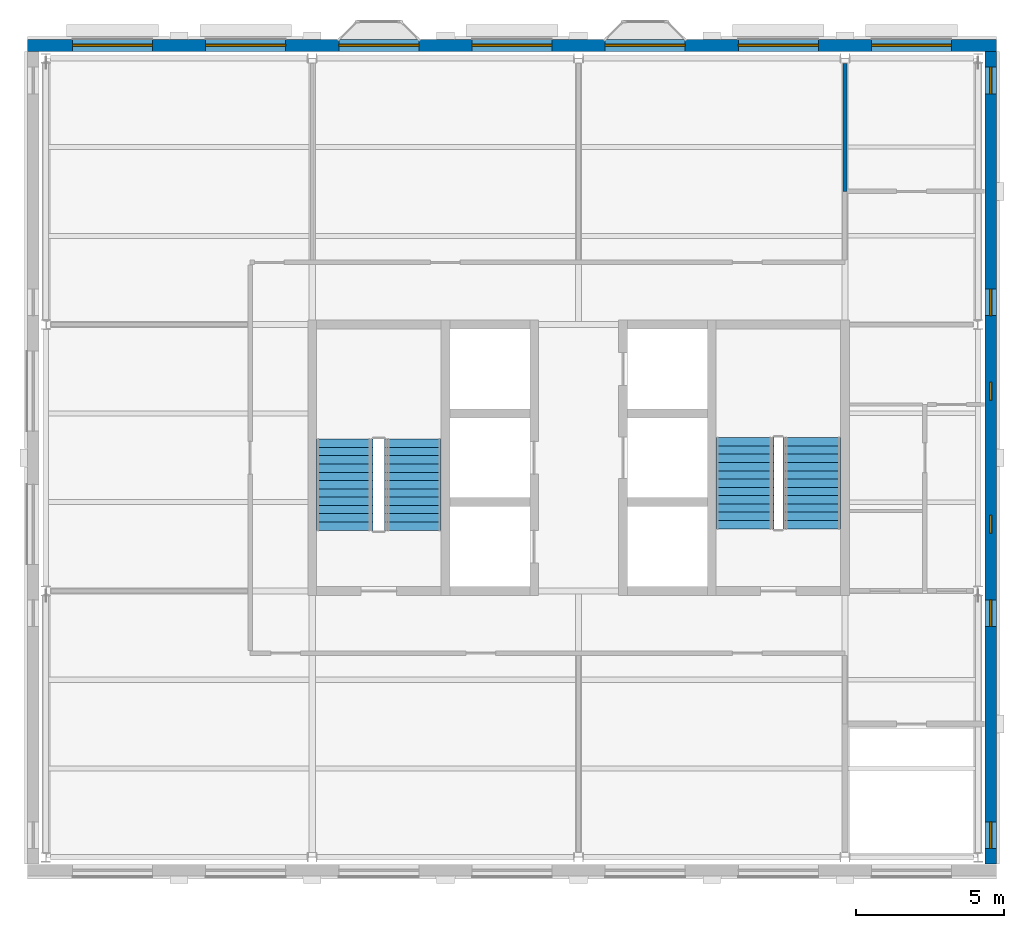
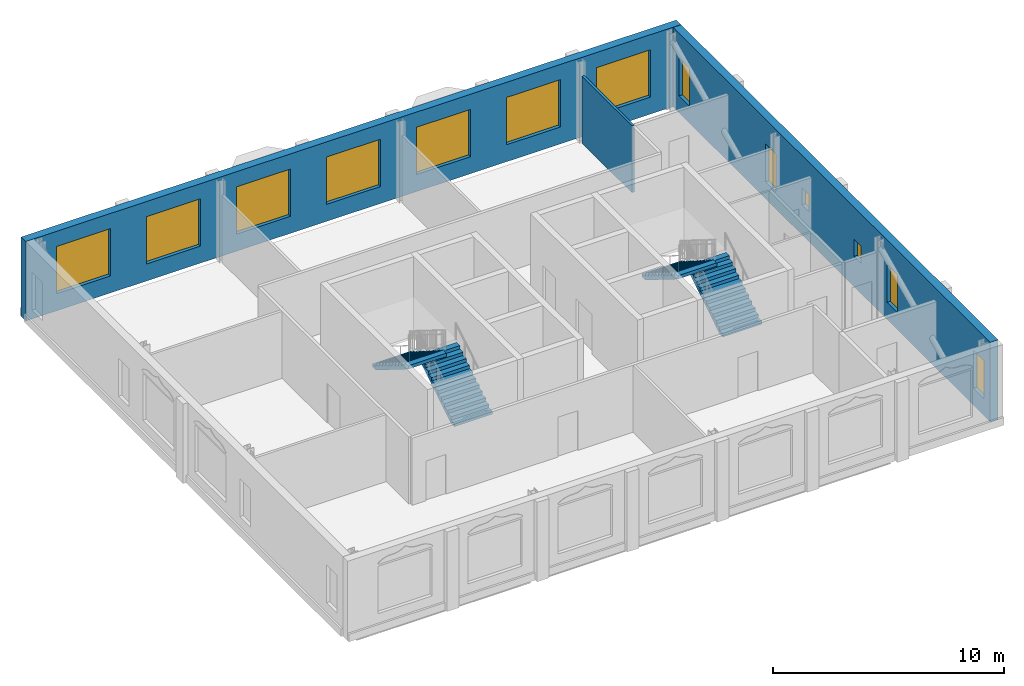
# One storey, part 5 of 9: 13 windows, 4 stair flights, 3 walls, 13 openings, 2 elements without a shape of their own.
"""IFC4 building model written with IfcOpenShell, lengths in metres."""

from ifc_helpers import new_model, si_unit, direction, frame, frame_2d, origin, place, context, subcontext, project, spatial, polyline, rectangle, outline, extrude, material, layer, layer_set, type_object, element, fill, aggregate, save


model = new_model("IFC4")

# Units and contexts
model_context = context("Model", 3, precision=1e-05, world=origin(), true_north=direction((0.0, 1.0)))
body_context = subcontext(model_context, "Body", "Model", "MODEL_VIEW")
ifc_project = project(units=[si_unit("LENGTHUNIT", "METRE"), si_unit("AREAUNIT", "SQUARE_METRE"), si_unit("VOLUMEUNIT", "CUBIC_METRE"), si_unit("PLANEANGLEUNIT", "RADIAN"), si_unit("MASSUNIT", "GRAM", prefix="KILO")], contexts=[model_context])

# Site, building, storey
site_placement = place(None, origin())
site = spatial("IfcSite", under=ifc_project, at=site_placement, CompositionType="ELEMENT")
building_placement = place(site_placement, origin())
building = spatial("IfcBuilding", under=site, at=building_placement, Name="Hortulan Conservatory and Botanical Research Centre", CompositionType="ELEMENT")
storey_placement = place(building_placement, frame((0.0, 0.0, 48.60009765625)))
storey = spatial("IfcBuildingStorey", under=building, at=storey_placement, Name="L11", CompositionType="ELEMENT", Elevation=48.60009765625)

# Wall, openings, windows
ifc_material_1 = material(Name="Faience-faced brickwork masonry", Category="masonry")
ifc_layer_1 = layer(ifc_material_1, 0.39990234375)
ifc_layer_set_1 = layer_set([ifc_layer_1], Name="Faience-faced Masonry Cavity Wall 400")
wall_type_1 = type_object("IfcWallType", Name="Faience-faced Masonry Cavity Wall 400", PredefinedType="STANDARD", material=ifc_layer_set_1)
wall_1_placement = place(storey_placement, frame((-0.625, 27.43603515625, 0.0), z_axis=(0.0, 0.0, 1.0), x_axis=(1.0, 0.0, 0.0)))
wall_1 = element("IfcWall", 1, at=wall_1_placement, inside=storey, type_object=wall_type_1, Name="E-EW-TW-L11-N3", PredefinedType="STANDARD", context=body_context, shape_type="SweptSolid", body=[
    extrude(rectangle(XDim=32.75, YDim=0.39990234375, at=frame_2d((16.375, 0.0))), origin(), (0.0, 0.0, 1.0), 4.199951171875),
])
opening_1_placement = place(wall_1_placement, frame((1.52490234375, 0.0, 0.89990234375)))
opening_1 = element("IfcOpeningElement", 2, at=opening_1_placement, cuts=wall_1, Name="Opening W4", PredefinedType="OPENING", context=body_context, shape_type="SweptSolid", body=[
    extrude(rectangle(XDim=2.699951171875, YDim=2.5, at=frame_2d((1.35009765625, 1.25))), frame((0.0, 0.2099609375, 0.0), z_axis=(0.0, -1.0, 0.0), x_axis=(1.0, 0.0, 0.0)), (0.0, 0.0, 1.0), 0.419921875),
])
opening_2_placement = place(wall_1_placement, frame((6.02490234375, 0.0, 0.89990234375)))
opening_2 = element("IfcOpeningElement", 3, at=opening_2_placement, cuts=wall_1, Name="Opening W4", PredefinedType="OPENING", context=body_context, shape_type="SweptSolid", body=[
    extrude(rectangle(XDim=2.699951171875, YDim=2.5, at=frame_2d((1.35009765625, 1.25))), frame((0.0, 0.2099609375, 0.0), z_axis=(0.0, -1.0, 0.0), x_axis=(1.0, 0.0, 0.0)), (0.0, 0.0, 1.0), 0.419921875),
])
opening_3_placement = place(wall_1_placement, frame((10.52490234375, 0.0, 0.89990234375)))
opening_3 = element("IfcOpeningElement", 4, at=opening_3_placement, cuts=wall_1, Name="Opening W4", PredefinedType="OPENING", context=body_context, shape_type="SweptSolid", body=[
    extrude(rectangle(XDim=2.699951171875, YDim=2.5, at=frame_2d((1.35009765625, 1.25))), frame((0.0, 0.2099609375, 0.0), z_axis=(0.0, -1.0, 0.0), x_axis=(1.0, 0.0, 0.0)), (0.0, 0.0, 1.0), 0.419921875),
])
opening_4_placement = place(wall_1_placement, frame((15.02490234375, 0.0, 0.89990234375)))
opening_4 = element("IfcOpeningElement", 5, at=opening_4_placement, cuts=wall_1, Name="Opening W4", PredefinedType="OPENING", context=body_context, shape_type="SweptSolid", body=[
    extrude(rectangle(XDim=2.699951171875, YDim=2.5, at=frame_2d((1.35009765625, 1.25))), frame((0.0, 0.2099609375, 0.0), z_axis=(0.0, -1.0, 0.0), x_axis=(1.0, 0.0, 0.0)), (0.0, 0.0, 1.0), 0.419921875),
])
opening_5_placement = place(wall_1_placement, frame((19.52490234375, 0.0, 0.89990234375)))
opening_5 = element("IfcOpeningElement", 6, at=opening_5_placement, cuts=wall_1, Name="Opening W4", PredefinedType="OPENING", context=body_context, shape_type="SweptSolid", body=[
    extrude(rectangle(XDim=2.699951171875, YDim=2.5, at=frame_2d((1.35009765625, 1.25))), frame((0.0, 0.2099609375, 0.0), z_axis=(0.0, -1.0, 0.0), x_axis=(1.0, 0.0, 0.0)), (0.0, 0.0, 1.0), 0.419921875),
])
opening_6_placement = place(wall_1_placement, frame((24.02490234375, 0.0, 0.89990234375)))
opening_6 = element("IfcOpeningElement", 7, at=opening_6_placement, cuts=wall_1, Name="Opening W4", PredefinedType="OPENING", context=body_context, shape_type="SweptSolid", body=[
    extrude(rectangle(XDim=2.699951171875, YDim=2.5, at=frame_2d((1.35009765625, 1.25))), frame((0.0, 0.2099609375, 0.0), z_axis=(0.0, -1.0, 0.0), x_axis=(1.0, 0.0, 0.0)), (0.0, 0.0, 1.0), 0.419921875),
])
opening_7_placement = place(wall_1_placement, frame((28.52490234375, 0.0, 0.89990234375)))
opening_7 = element("IfcOpeningElement", 8, at=opening_7_placement, cuts=wall_1, Name="Opening W4", PredefinedType="OPENING", context=body_context, shape_type="SweptSolid", body=[
    extrude(rectangle(XDim=2.699951171875, YDim=2.5, at=frame_2d((1.35009765625, 1.25))), frame((0.0, 0.2099609375, 0.0), z_axis=(0.0, -1.0, 0.0), x_axis=(1.0, 0.0, 0.0)), (0.0, 0.0, 1.0), 0.419921875),
])
ifc_material_2 = material(Name="Bronze-finished aluminium frame with low-e laminated double glazing", Category="aluminium")
window_type_1 = type_object("IfcWindowType", Name="Faience Window 2700x2500", PartitioningType="SINGLE_PANEL", PredefinedType="WINDOW", material=ifc_material_2)
window_1_placement = place(opening_1_placement, origin())
window_1 = element("IfcWindow", 9, at=window_1_placement, inside=storey, type_object=window_type_1, Name="Faience window", OverallHeight=2.5, OverallWidth=2.699951171875, PartitioningType="SINGLE_PANEL", PredefinedType="WINDOW", context=body_context, shape_type="SweptSolid", body=[
    extrude(rectangle(XDim=2.699951171875, YDim=2.5, at=frame_2d((1.35009765625, 1.25))), frame((0.0, 0.030029296875, 0.0), z_axis=(0.0, -1.0, 0.0), x_axis=(1.0, 0.0, 0.0)), (0.0, 0.0, 1.0), 0.06005859375),
])
fill(opening_1, window_1)
window_2_placement = place(opening_2_placement, origin())
window_2 = element("IfcWindow", 10, at=window_2_placement, inside=storey, type_object=window_type_1, Name="Faience window", OverallHeight=2.5, OverallWidth=2.699951171875, PartitioningType="SINGLE_PANEL", PredefinedType="WINDOW", context=body_context, shape_type="SweptSolid", body=[
    extrude(rectangle(XDim=2.699951171875, YDim=2.5, at=frame_2d((1.35009765625, 1.25))), frame((0.0, 0.030029296875, 0.0), z_axis=(0.0, -1.0, 0.0), x_axis=(1.0, 0.0, 0.0)), (0.0, 0.0, 1.0), 0.06005859375),
])
fill(opening_2, window_2)
window_3_placement = place(opening_3_placement, origin())
window_3 = element("IfcWindow", 11, at=window_3_placement, inside=storey, type_object=window_type_1, Name="Faience window", OverallHeight=2.5, OverallWidth=2.699951171875, PartitioningType="SINGLE_PANEL", PredefinedType="WINDOW", context=body_context, shape_type="SweptSolid", body=[
    extrude(rectangle(XDim=2.699951171875, YDim=2.5, at=frame_2d((1.35009765625, 1.25))), frame((0.0, 0.030029296875, 0.0), z_axis=(0.0, -1.0, 0.0), x_axis=(1.0, 0.0, 0.0)), (0.0, 0.0, 1.0), 0.06005859375),
])
fill(opening_3, window_3)
window_4_placement = place(opening_4_placement, origin())
window_4 = element("IfcWindow", 12, at=window_4_placement, inside=storey, type_object=window_type_1, Name="Faience window", OverallHeight=2.5, OverallWidth=2.699951171875, PartitioningType="SINGLE_PANEL", PredefinedType="WINDOW", context=body_context, shape_type="SweptSolid", body=[
    extrude(rectangle(XDim=2.699951171875, YDim=2.5, at=frame_2d((1.35009765625, 1.25))), frame((0.0, 0.030029296875, 0.0), z_axis=(0.0, -1.0, 0.0), x_axis=(1.0, 0.0, 0.0)), (0.0, 0.0, 1.0), 0.06005859375),
])
fill(opening_4, window_4)
window_5_placement = place(opening_5_placement, origin())
window_5 = element("IfcWindow", 13, at=window_5_placement, inside=storey, type_object=window_type_1, Name="Faience window", OverallHeight=2.5, OverallWidth=2.699951171875, PartitioningType="SINGLE_PANEL", PredefinedType="WINDOW", context=body_context, shape_type="SweptSolid", body=[
    extrude(rectangle(XDim=2.699951171875, YDim=2.5, at=frame_2d((1.35009765625, 1.25))), frame((0.0, 0.030029296875, 0.0), z_axis=(0.0, -1.0, 0.0), x_axis=(1.0, 0.0, 0.0)), (0.0, 0.0, 1.0), 0.06005859375),
])
fill(opening_5, window_5)
window_6_placement = place(opening_6_placement, origin())
window_6 = element("IfcWindow", 14, at=window_6_placement, inside=storey, type_object=window_type_1, Name="Faience window", OverallHeight=2.5, OverallWidth=2.699951171875, PartitioningType="SINGLE_PANEL", PredefinedType="WINDOW", context=body_context, shape_type="SweptSolid", body=[
    extrude(rectangle(XDim=2.699951171875, YDim=2.5, at=frame_2d((1.35009765625, 1.25))), frame((0.0, 0.030029296875, 0.0), z_axis=(0.0, -1.0, 0.0), x_axis=(1.0, 0.0, 0.0)), (0.0, 0.0, 1.0), 0.06005859375),
])
fill(opening_6, window_6)
window_7_placement = place(opening_7_placement, origin())
window_7 = element("IfcWindow", 15, at=window_7_placement, inside=storey, type_object=window_type_1, Name="Faience window", OverallHeight=2.5, OverallWidth=2.699951171875, PartitioningType="SINGLE_PANEL", PredefinedType="WINDOW", context=body_context, shape_type="SweptSolid", body=[
    extrude(rectangle(XDim=2.699951171875, YDim=2.5, at=frame_2d((1.35009765625, 1.25))), frame((0.0, 0.030029296875, 0.0), z_axis=(0.0, -1.0, 0.0), x_axis=(1.0, 0.0, 0.0)), (0.0, 0.0, 1.0), 0.06005859375),
])
fill(opening_7, window_7)

wall_2_placement = place(storey_placement, frame((31.925048828125, 27.22509765625, 0.0), z_axis=(0.0, 0.0, 1.0), x_axis=(0.0, -1.0, 0.0)))
wall_2 = element("IfcWall", 16, at=wall_2_placement, inside=storey, type_object=wall_type_1, Name="E-EW-TW-L11-E4", PredefinedType="STANDARD", context=body_context, shape_type="SweptSolid", body=[
    extrude(rectangle(XDim=27.4501953125, YDim=0.39990234375, at=frame_2d((13.72509765625, 0.0))), origin(), (0.0, 0.0, 1.0), 4.199951171875),
])
opening_8_placement = place(wall_2_placement, frame((26.02490234375, 0.0, 0.89990234375)))
opening_8 = element("IfcOpeningElement", 17, at=opening_8_placement, cuts=wall_2, Name="Opening W5", PredefinedType="OPENING", context=body_context, shape_type="SweptSolid", body=[
    extrude(rectangle(XDim=0.89990234375, YDim=2.0, at=frame_2d((0.449951171875, 1.0))), frame((0.0, 0.2099609375, 0.0), z_axis=(0.0, -1.0, 0.0), x_axis=(1.0, 0.0, 0.0)), (0.0, 0.0, 1.0), 0.419921875),
])
opening_9_placement = place(wall_2_placement, frame((18.52490234375, 0.0, 0.89990234375)))
opening_9 = element("IfcOpeningElement", 18, at=opening_9_placement, cuts=wall_2, Name="Opening W5", PredefinedType="OPENING", context=body_context, shape_type="SweptSolid", body=[
    extrude(rectangle(XDim=0.89990234375, YDim=2.0, at=frame_2d((0.449951171875, 1.0))), frame((0.0, 0.2099609375, 0.0), z_axis=(0.0, -1.0, 0.0), x_axis=(1.0, 0.0, 0.0)), (0.0, 0.0, 1.0), 0.419921875),
])
opening_10_placement = place(wall_2_placement, frame((15.675048828125, 0.0, 1.60009765625)))
opening_10 = element("IfcOpeningElement", 19, at=opening_10_placement, cuts=wall_2, Name="Opening W3", PredefinedType="OPENING", context=body_context, shape_type="SweptSolid", body=[
    extrude(rectangle(XDim=0.60009765625, YDim=0.89990234375, at=frame_2d((0.300048828125, 0.449951171875))), frame((0.0, 0.2099609375, 0.0), z_axis=(0.0, -1.0, 0.0), x_axis=(1.0, 0.0, 0.0)), (0.0, 0.0, 1.0), 0.419921875),
])
opening_11_placement = place(wall_2_placement, frame((11.175048828125, 0.0, 1.60009765625)))
opening_11 = element("IfcOpeningElement", 20, at=opening_11_placement, cuts=wall_2, Name="Opening W3", PredefinedType="OPENING", context=body_context, shape_type="SweptSolid", body=[
    extrude(rectangle(XDim=0.60009765625, YDim=0.89990234375, at=frame_2d((0.300048828125, 0.449951171875))), frame((0.0, 0.2099609375, 0.0), z_axis=(0.0, -1.0, 0.0), x_axis=(1.0, 0.0, 0.0)), (0.0, 0.0, 1.0), 0.419921875),
])
opening_12_placement = place(wall_2_placement, frame((8.02490234375, 0.0, 0.89990234375)))
opening_12 = element("IfcOpeningElement", 21, at=opening_12_placement, cuts=wall_2, Name="Opening W5", PredefinedType="OPENING", context=body_context, shape_type="SweptSolid", body=[
    extrude(rectangle(XDim=0.89990234375, YDim=2.0, at=frame_2d((0.449951171875, 1.0))), frame((0.0, 0.2099609375, 0.0), z_axis=(0.0, -1.0, 0.0), x_axis=(1.0, 0.0, 0.0)), (0.0, 0.0, 1.0), 0.419921875),
])
opening_13_placement = place(wall_2_placement, frame((0.52490234375, 0.0, 0.89990234375)))
opening_13 = element("IfcOpeningElement", 22, at=opening_13_placement, cuts=wall_2, Name="Opening W5", PredefinedType="OPENING", context=body_context, shape_type="SweptSolid", body=[
    extrude(rectangle(XDim=0.89990234375, YDim=2.0, at=frame_2d((0.449951171875, 1.0))), frame((0.0, 0.2099609375, 0.0), z_axis=(0.0, -1.0, 0.0), x_axis=(1.0, 0.0, 0.0)), (0.0, 0.0, 1.0), 0.419921875),
])
window_type_2 = type_object("IfcWindowType", Name="Faience Pier Window 900x2000", PartitioningType="SINGLE_PANEL", PredefinedType="WINDOW", material=ifc_material_2)
window_8_placement = place(opening_8_placement, origin())
window_8 = element("IfcWindow", 23, at=window_8_placement, inside=storey, type_object=window_type_2, Name="Faience Pier window", OverallHeight=2.0, OverallWidth=0.89990234375, PartitioningType="SINGLE_PANEL", PredefinedType="WINDOW", context=body_context, shape_type="SweptSolid", body=[
    extrude(rectangle(XDim=0.89990234375, YDim=2.0, at=frame_2d((0.449951171875, 1.0))), frame((0.0, 0.030029296875, 0.0), z_axis=(0.0, -1.0, 0.0), x_axis=(1.0, 0.0, 0.0)), (0.0, 0.0, 1.0), 0.06005859375),
])
fill(opening_8, window_8)
window_9_placement = place(opening_9_placement, origin())
window_9 = element("IfcWindow", 24, at=window_9_placement, inside=storey, type_object=window_type_2, Name="Faience Pier window", OverallHeight=2.0, OverallWidth=0.89990234375, PartitioningType="SINGLE_PANEL", PredefinedType="WINDOW", context=body_context, shape_type="SweptSolid", body=[
    extrude(rectangle(XDim=0.89990234375, YDim=2.0, at=frame_2d((0.449951171875, 1.0))), frame((0.0, 0.030029296875, 0.0), z_axis=(0.0, -1.0, 0.0), x_axis=(1.0, 0.0, 0.0)), (0.0, 0.0, 1.0), 0.06005859375),
])
fill(opening_9, window_9)
window_10_placement = place(opening_12_placement, origin())
window_10 = element("IfcWindow", 25, at=window_10_placement, inside=storey, type_object=window_type_2, Name="Faience Pier window", OverallHeight=2.0, OverallWidth=0.89990234375, PartitioningType="SINGLE_PANEL", PredefinedType="WINDOW", context=body_context, shape_type="SweptSolid", body=[
    extrude(rectangle(XDim=0.89990234375, YDim=2.0, at=frame_2d((0.449951171875, 1.0))), frame((0.0, 0.030029296875, 0.0), z_axis=(0.0, -1.0, 0.0), x_axis=(1.0, 0.0, 0.0)), (0.0, 0.0, 1.0), 0.06005859375),
])
fill(opening_12, window_10)
window_11_placement = place(opening_13_placement, origin())
window_11 = element("IfcWindow", 26, at=window_11_placement, inside=storey, type_object=window_type_2, Name="Faience Pier window", OverallHeight=2.0, OverallWidth=0.89990234375, PartitioningType="SINGLE_PANEL", PredefinedType="WINDOW", context=body_context, shape_type="SweptSolid", body=[
    extrude(rectangle(XDim=0.89990234375, YDim=2.0, at=frame_2d((0.449951171875, 1.0))), frame((0.0, 0.030029296875, 0.0), z_axis=(0.0, -1.0, 0.0), x_axis=(1.0, 0.0, 0.0)), (0.0, 0.0, 1.0), 0.06005859375),
])
fill(opening_13, window_11)
window_type_3 = type_object("IfcWindowType", Name="Slot Window 600x900", PartitioningType="SINGLE_PANEL", PredefinedType="WINDOW", material=ifc_material_2)
window_12_placement = place(opening_10_placement, origin())
window_12 = element("IfcWindow", 27, at=window_12_placement, inside=storey, type_object=window_type_3, Name="Slot window", OverallHeight=0.89990234375, OverallWidth=0.60009765625, PartitioningType="SINGLE_PANEL", PredefinedType="WINDOW", context=body_context, shape_type="SweptSolid", body=[
    extrude(rectangle(XDim=0.60009765625, YDim=0.89990234375, at=frame_2d((0.300048828125, 0.449951171875))), frame((0.0, 0.030029296875, 0.0), z_axis=(0.0, -1.0, 0.0), x_axis=(1.0, 0.0, 0.0)), (0.0, 0.0, 1.0), 0.06005859375),
])
fill(opening_10, window_12)
window_13_placement = place(opening_11_placement, origin())
window_13 = element("IfcWindow", 28, at=window_13_placement, inside=storey, type_object=window_type_3, Name="Slot window", OverallHeight=0.89990234375, OverallWidth=0.60009765625, PartitioningType="SINGLE_PANEL", PredefinedType="WINDOW", context=body_context, shape_type="SweptSolid", body=[
    extrude(rectangle(XDim=0.60009765625, YDim=0.89990234375, at=frame_2d((0.300048828125, 0.449951171875))), frame((0.0, 0.030029296875, 0.0), z_axis=(0.0, -1.0, 0.0), x_axis=(1.0, 0.0, 0.0)), (0.0, 0.0, 1.0), 0.06005859375),
])
fill(opening_11, window_13)

# Wall
ifc_material_3 = material(Name="Plasterboard on steel studs", Category="steel")
ifc_layer_2 = layer(ifc_material_3, 0.125)
ifc_layer_set_2 = layer_set([ifc_layer_2], Name="Partition 125")
wall_type_2 = type_object("IfcWallType", Name="Partition 125", PredefinedType="PARTITIONING", material=ifc_layer_set_2)
wall_3_placement = place(storey_placement, frame((27.0, 22.5, 0.0), z_axis=(0.0, 0.0, 1.0), x_axis=(0.0, 1.0, 0.0)))
element("IfcWall", 29, at=wall_3_placement, inside=storey, type_object=wall_type_2, Name="Partition", PredefinedType="PARTITIONING", context=body_context, shape_type="SweptSolid", body=[
    extrude(rectangle(XDim=4.32958984375, YDim=0.125, at=frame_2d((2.164794921875, 0.0))), origin(), (0.0, 0.0, 1.0), 3.5419921875),
])

# Stair, stair flights
ifc_material_4 = material(Name="Concrete N40 (40 MPa, AS 3600)", Category="concrete")
stair_type_1 = type_object("IfcStairType", Name="Concrete Escape Stair 1900", PredefinedType="HALF_TURN_STAIR", material=ifc_material_4)
stair_1_placement = place(storey_placement, origin())
stair_1 = element("IfcStair", 30, at=stair_1_placement, inside=storey, type_object=stair_type_1, Name="Stair T1 L11", PredefinedType="HALF_TURN_STAIR")
ifc_layer_3 = layer(ifc_material_4, 0.14990234375)
ifc_layer_set_3 = layer_set([ifc_layer_3], Name="Stair Flight 1900 wide, riser 175")
stair_flight_type_1 = type_object("IfcStairFlightType", Name="Stair Flight 1900 wide, riser 175", PredefinedType="STRAIGHT", material=ifc_layer_set_3)
stair_flight_1_placement = place(storey_placement, frame((12.39990234375, 11.050048828125, 0.0), z_axis=(0.0, 0.0, 1.0), x_axis=(0.0, 1.0, 0.0)))
stair_flight_1 = element("IfcStairFlight", 31, at=stair_flight_1_placement, type_object=stair_flight_type_1, Name="Stair T1 L11 flight 1", NumberOfRisers=12, NumberOfTreads=11, PredefinedType="STRAIGHT", RiserHeight=0.175, TreadLength=0.28, context=body_context, shape_type="SweptSolid", body=[
    extrude(outline(polyline([(0.0, 0.0), (0.0, 0.175048828125), (0.280029296875, 0.175048828125), (0.280029296875, 0.35009765625), (0.56005859375, 0.35009765625), (0.56005859375, 0.52490234375), (0.840087890625, 0.52490234375), (0.840087890625, 0.699951171875), (1.1201171875, 0.699951171875), (1.1201171875, 0.875), (1.39990234375, 0.875), (1.39990234375, 1.050048828125), (1.679931640625, 1.050048828125), (1.679931640625, 1.22509765625), (1.9599609375, 1.22509765625), (1.9599609375, 1.39990234375), (2.239990234375, 1.39990234375), (2.239990234375, 1.574951171875), (2.52001953125, 1.574951171875), (2.52001953125, 1.75), (2.800048828125, 1.75), (2.800048828125, 1.925048828125), (3.080078125, 1.925048828125), (3.080078125, 2.10009765625), (3.080078125, 1.748291015625), (0.28271484375, 0.0), (0.0, 0.0)])), frame((0.0, 0.949951171875, 0.0), z_axis=(0.0, -1.0, 0.0), x_axis=(1.0, 0.0, 0.0)), (0.0, 0.0, 1.0), 1.89990234375),
])
stair_flight_2_placement = place(storey_placement, frame((10.10009765625, 14.1298828125, 2.099853515625), z_axis=(0.0, 0.0, 1.0), x_axis=(0.0, -1.0, 0.0)))
stair_flight_2 = element("IfcStairFlight", 32, at=stair_flight_2_placement, type_object=stair_flight_type_1, Name="Stair T1 L11 flight 2", NumberOfRisers=12, NumberOfTreads=11, PredefinedType="STRAIGHT", RiserHeight=0.175, TreadLength=0.28, context=body_context, shape_type="SweptSolid", body=[
    extrude(outline(polyline([(0.0, 0.0), (0.0, 0.175048828125), (0.280029296875, 0.175048828125), (0.280029296875, 0.35009765625), (0.56005859375, 0.35009765625), (0.56005859375, 0.52490234375), (0.840087890625, 0.52490234375), (0.840087890625, 0.699951171875), (1.1201171875, 0.699951171875), (1.1201171875, 0.875), (1.39990234375, 0.875), (1.39990234375, 1.050048828125), (1.679931640625, 1.050048828125), (1.679931640625, 1.22509765625), (1.9599609375, 1.22509765625), (1.9599609375, 1.39990234375), (2.239990234375, 1.39990234375), (2.239990234375, 1.574951171875), (2.52001953125, 1.574951171875), (2.52001953125, 1.75), (2.800048828125, 1.75), (2.800048828125, 1.925048828125), (3.080078125, 1.925048828125), (3.080078125, 2.10009765625), (3.080078125, 1.748291015625), (0.28271484375, 0.0), (0.0, 0.0)])), frame((0.0, 0.949951171875, 0.0), z_axis=(0.0, -1.0, 0.0), x_axis=(1.0, 0.0, 0.0)), (0.0, 0.0, 1.0), 1.89990234375),
])
aggregate(stair_1, [stair_flight_1, stair_flight_2])

stair_type_2 = type_object("IfcStairType", Name="Concrete Escape Stair 1950", PredefinedType="HALF_TURN_STAIR", material=ifc_material_4)
stair_2_placement = place(storey_placement, origin())
stair_2 = element("IfcStair", 33, at=stair_2_placement, inside=storey, type_object=stair_type_2, Name="Stair T2 L11", PredefinedType="HALF_TURN_STAIR")
ifc_layer_4 = layer(ifc_material_4, 0.14990234375)
ifc_layer_set_4 = layer_set([ifc_layer_4], Name="Stair Flight 1950 wide, riser 175")
stair_flight_type_2 = type_object("IfcStairFlightType", Name="Stair Flight 1950 wide, riser 175", PredefinedType="STRAIGHT", material=ifc_layer_set_4)
stair_flight_3_placement = place(storey_placement, frame((25.875, 11.10009765625, 0.0), z_axis=(0.0, 0.0, 1.0), x_axis=(0.0, 1.0, 0.0)))
stair_flight_3 = element("IfcStairFlight", 34, at=stair_flight_3_placement, type_object=stair_flight_type_2, Name="Stair T2 L11 flight 1", NumberOfRisers=12, NumberOfTreads=11, PredefinedType="STRAIGHT", RiserHeight=0.175, TreadLength=0.28, context=body_context, shape_type="SweptSolid", body=[
    extrude(outline(polyline([(0.0, 0.0), (0.0, 0.175048828125), (0.280029296875, 0.175048828125), (0.280029296875, 0.35009765625), (0.56005859375, 0.35009765625), (0.56005859375, 0.52490234375), (0.840087890625, 0.52490234375), (0.840087890625, 0.699951171875), (1.1201171875, 0.699951171875), (1.1201171875, 0.875), (1.39990234375, 0.875), (1.39990234375, 1.050048828125), (1.679931640625, 1.050048828125), (1.679931640625, 1.22509765625), (1.9599609375, 1.22509765625), (1.9599609375, 1.39990234375), (2.239990234375, 1.39990234375), (2.239990234375, 1.574951171875), (2.52001953125, 1.574951171875), (2.52001953125, 1.75), (2.800048828125, 1.75), (2.800048828125, 1.925048828125), (3.080078125, 1.925048828125), (3.080078125, 2.10009765625), (3.080078125, 1.748291015625), (0.28271484375, 0.0), (0.0, 0.0)])), frame((0.0, 0.97509765625, 0.0), z_axis=(0.0, -1.0, 0.0), x_axis=(1.0, 0.0, 0.0)), (0.0, 0.0, 1.0), 1.949951171875),
])
stair_flight_4_placement = place(storey_placement, frame((23.625, 14.179931640625, 2.099853515625), z_axis=(0.0, 0.0, 1.0), x_axis=(0.0, -1.0, 0.0)))
stair_flight_4 = element("IfcStairFlight", 35, at=stair_flight_4_placement, type_object=stair_flight_type_2, Name="Stair T2 L11 flight 2", NumberOfRisers=12, NumberOfTreads=11, PredefinedType="STRAIGHT", RiserHeight=0.175, TreadLength=0.28, context=body_context, shape_type="SweptSolid", body=[
    extrude(outline(polyline([(0.0, 0.0), (0.0, 0.175048828125), (0.280029296875, 0.175048828125), (0.280029296875, 0.35009765625), (0.56005859375, 0.35009765625), (0.56005859375, 0.52490234375), (0.840087890625, 0.52490234375), (0.840087890625, 0.699951171875), (1.1201171875, 0.699951171875), (1.1201171875, 0.875), (1.39990234375, 0.875), (1.39990234375, 1.050048828125), (1.679931640625, 1.050048828125), (1.679931640625, 1.22509765625), (1.9599609375, 1.22509765625), (1.9599609375, 1.39990234375), (2.239990234375, 1.39990234375), (2.239990234375, 1.574951171875), (2.52001953125, 1.574951171875), (2.52001953125, 1.75), (2.800048828125, 1.75), (2.800048828125, 1.925048828125), (3.080078125, 1.925048828125), (3.080078125, 2.10009765625), (3.080078125, 1.748291015625), (0.28271484375, 0.0), (0.0, 0.0)])), frame((0.0, 0.97509765625, 0.0), z_axis=(0.0, -1.0, 0.0), x_axis=(1.0, 0.0, 0.0)), (0.0, 0.0, 1.0), 1.949951171875),
])
aggregate(stair_2, [stair_flight_3, stair_flight_4])

save(model, "model.ifc")
